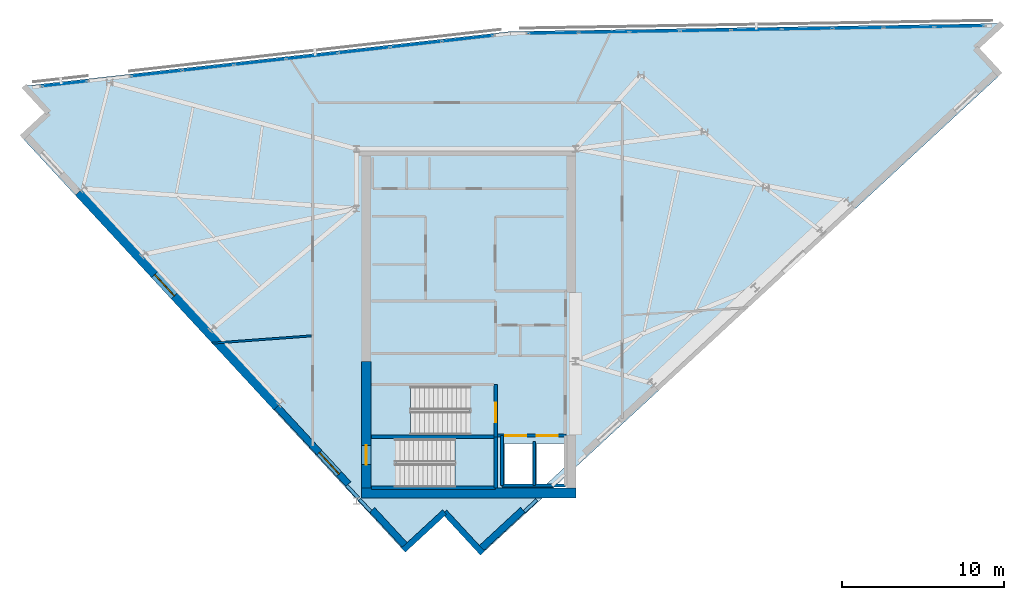
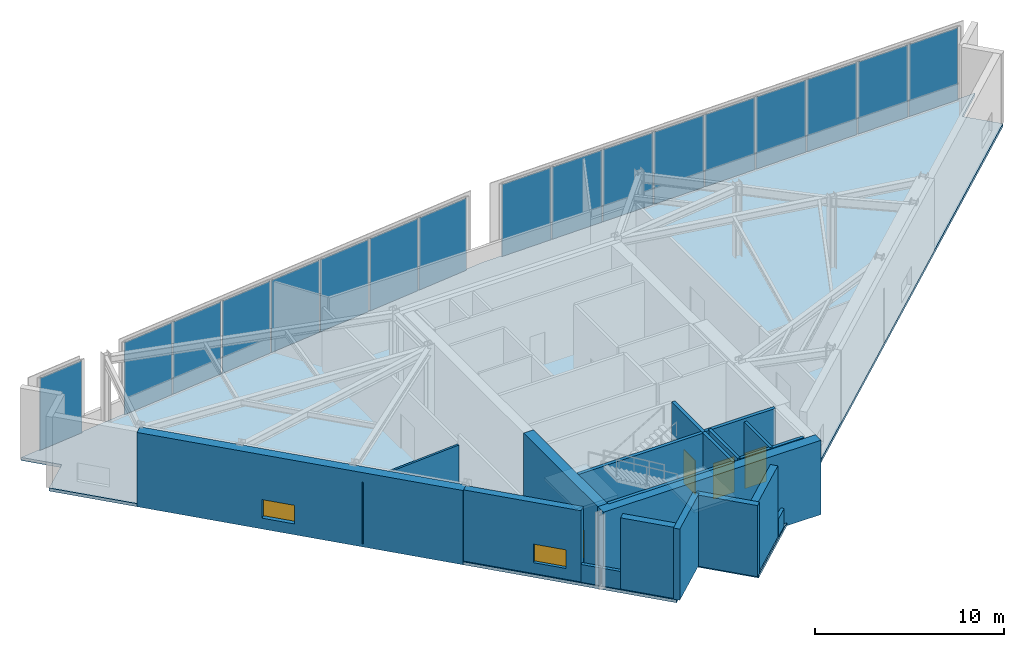
# One storey, part 8 of 12: 20 walls, 17 plates, 4 doors, 3 slabs, 2 windows, 6 openings, 5 elements without a shape of their own.
"""IFC4 building model written with IfcOpenShell, lengths in metres."""

from ifc_helpers import new_model, si_unit, direction, frame, frame_2d, origin, origin_2d, place, context, subcontext, project, spatial, polyline, rectangle, outline, extrude, material, layer, layer_set, type_object, element, fill, aggregate, save


model = new_model("IFC4")

# Units and contexts
model_context = context("Model", 3, precision=1e-05, world=origin(), true_north=direction((0.0, 1.0)))
body_context = subcontext(model_context, "Body", "Model", "MODEL_VIEW")
ifc_project = project(units=[si_unit("LENGTHUNIT", "METRE"), si_unit("AREAUNIT", "SQUARE_METRE"), si_unit("VOLUMEUNIT", "CUBIC_METRE"), si_unit("PLANEANGLEUNIT", "RADIAN"), si_unit("MASSUNIT", "GRAM", prefix="KILO")], contexts=[model_context])

# Site, building, storey
site_placement = place(None, origin())
site = spatial("IfcSite", under=ifc_project, at=site_placement, CompositionType="ELEMENT")
building_placement = place(site_placement, origin())
building = spatial("IfcBuilding", under=site, at=building_placement, Name="Narakoshi Arena Tower", CompositionType="ELEMENT")
storey_placement = place(building_placement, frame((0.0, 0.0, 302.97998046875)))
storey = spatial("IfcBuildingStorey", under=building, at=storey_placement, Name="L82", CompositionType="ELEMENT", Elevation=302.97998046875)

# Curtain wall, plate
ifc_material_1 = material(Name="Anodised bronze aluminium 6063-T6", Category="aluminium")
curtain_wall_type = type_object("IfcCurtainWallType", Name="CW-CRN-FACET", PredefinedType="NOTDEFINED", material=ifc_material_1)
curtain_wall_1_placement = place(storey_placement, origin())
curtain_wall_1 = element("IfcCurtainWall", 1, at=curtain_wall_1_placement, inside=storey, type_object=curtain_wall_type, Name="L82 Slanted-Cut Crown Curtain Wall 5-1", PredefinedType="NOTDEFINED")
ifc_material_2 = material(Name="Bronze-tinted low-E laminated glass", Category="glass")
ifc_layer_1 = layer(ifc_material_2, 0.0439453125)
ifc_layer_set_1 = layer_set([ifc_layer_1], Name="Bronze-tinted low-E laminated glass")
plate_type = type_object("IfcPlateType", Name="PLT-GLZ-44", PredefinedType="CURTAIN_PANEL", material=ifc_layer_set_1)
plate_1_placement = place(storey_placement, frame((53.931640625, 60.52734375, 0.06982421875), z_axis=(0.0, 0.0, 1.0), x_axis=(0.993776228952, 0.1113948238, 0.0)))
plate_1 = element("IfcPlate", 2, at=plate_1_placement, type_object=plate_type, Name="CW-06 panel 1.1", PredefinedType="CURTAIN_PANEL", context=body_context, shape_type="SweptSolid", body=[
    extrude(rectangle(XDim=2.756591796875, YDim=0.0439453125, at=origin_2d()), origin(), (0.0, 0.0, 1.0), 4.659912109375),
])
aggregate(curtain_wall_1, [plate_1])

# Curtain wall, plates
curtain_wall_2_placement = place(storey_placement, origin())
curtain_wall_2 = element("IfcCurtainWall", 3, at=curtain_wall_2_placement, inside=storey, type_object=curtain_wall_type, Name="L82 Slanted-Cut Crown Curtain Wall 5-2", PredefinedType="NOTDEFINED")
plate_2_placement = place(storey_placement, frame((59.628662109375, 61.166015625, 0.06982421875), z_axis=(0.0, 0.0, 1.0), x_axis=(0.993776180576, 0.11139525537, 0.0)))
plate_2 = element("IfcPlate", 4, at=plate_2_placement, type_object=plate_type, Name="CW-06 panel 1.1", PredefinedType="CURTAIN_PANEL", context=body_context, shape_type="SweptSolid", body=[
    extrude(rectangle(XDim=3.11572265625, YDim=0.0439453125, at=origin_2d()), origin(), (0.0, 0.0, 1.0), 4.659912109375),
])
plate_3_placement = place(storey_placement, frame((62.824462890625, 61.524169921875, 0.06982421875), z_axis=(0.0, 0.0, 1.0), x_axis=(0.993776180576, 0.11139525537, 0.0)))
plate_3 = element("IfcPlate", 5, at=plate_3_placement, type_object=plate_type, Name="CW-06 panel 2.1", PredefinedType="CURTAIN_PANEL", context=body_context, shape_type="SweptSolid", body=[
    extrude(rectangle(XDim=3.15576171875, YDim=0.0439453125, at=origin_2d()), origin(), (0.0, 0.0, 1.0), 4.659912109375),
])
plate_4_placement = place(storey_placement, frame((66.040283203125, 61.884521484375, 0.06982421875), z_axis=(0.0, 0.0, 1.0), x_axis=(0.993776180576, 0.11139525537, 0.0)))
plate_4 = element("IfcPlate", 6, at=plate_4_placement, type_object=plate_type, Name="CW-06 panel 3.1", PredefinedType="CURTAIN_PANEL", context=body_context, shape_type="SweptSolid", body=[
    extrude(rectangle(XDim=3.15576171875, YDim=0.0439453125, at=origin_2d()), origin(), (0.0, 0.0, 1.0), 4.659912109375),
])
plate_5_placement = place(storey_placement, frame((69.255859375, 62.2451171875, 0.06982421875), z_axis=(0.0, 0.0, 1.0), x_axis=(0.993776180576, 0.11139525537, 0.0)))
plate_5 = element("IfcPlate", 7, at=plate_5_placement, type_object=plate_type, Name="CW-06 panel 4.1", PredefinedType="CURTAIN_PANEL", context=body_context, shape_type="SweptSolid", body=[
    extrude(rectangle(XDim=3.15576171875, YDim=0.0439453125, at=origin_2d()), origin(), (0.0, 0.0, 1.0), 4.659912109375),
])
plate_6_placement = place(storey_placement, frame((72.4716796875, 62.60546875, 0.06982421875), z_axis=(0.0, 0.0, 1.0), x_axis=(0.993776180576, 0.11139525537, 0.0)))
plate_6 = element("IfcPlate", 8, at=plate_6_placement, type_object=plate_type, Name="CW-06 panel 5.1", PredefinedType="CURTAIN_PANEL", context=body_context, shape_type="SweptSolid", body=[
    extrude(rectangle(XDim=3.15576171875, YDim=0.0439453125, at=origin_2d()), origin(), (0.0, 0.0, 1.0), 4.659912109375),
])
plate_7_placement = place(storey_placement, frame((75.687255859375, 62.966064453125, 0.06982421875), z_axis=(0.0, 0.0, 1.0), x_axis=(0.993776180576, 0.11139525537, 0.0)))
plate_7 = element("IfcPlate", 9, at=plate_7_placement, type_object=plate_type, Name="CW-06 panel 6.1", PredefinedType="CURTAIN_PANEL", context=body_context, shape_type="SweptSolid", body=[
    extrude(rectangle(XDim=3.15576171875, YDim=0.0439453125, at=origin_2d()), origin(), (0.0, 0.0, 1.0), 4.659912109375),
])
plate_8_placement = place(storey_placement, frame((78.883056640625, 63.32421875, 0.06982421875), z_axis=(0.0, 0.0, 1.0), x_axis=(0.993776180576, 0.11139525537, 0.0)))
plate_8 = element("IfcPlate", 10, at=plate_8_placement, type_object=plate_type, Name="CW-06 panel 7.1", PredefinedType="CURTAIN_PANEL", context=body_context, shape_type="SweptSolid", body=[
    extrude(rectangle(XDim=3.11572265625, YDim=0.0439453125, at=origin_2d()), origin(), (0.0, 0.0, 1.0), 4.659912109375),
])
aggregate(curtain_wall_2, [plate_2, plate_3, plate_4, plate_5, plate_6, plate_7, plate_8])

curtain_wall_3_placement = place(storey_placement, origin())
curtain_wall_3 = element("IfcCurtainWall", 11, at=curtain_wall_3_placement, inside=storey, type_object=curtain_wall_type, Name="L82 Slanted-Cut Crown Curtain Wall 6-1", PredefinedType="NOTDEFINED")
plate_9_placement = place(storey_placement, frame((84.184326171875, 63.666259765625, 0.06982421875), z_axis=(0.0, 0.0, 1.0), x_axis=(0.999864745217, 0.016446618882, 0.0)))
plate_9 = element("IfcPlate", 12, at=plate_9_placement, type_object=plate_type, Name="CW-06 panel 1.1", PredefinedType="CURTAIN_PANEL", context=body_context, shape_type="SweptSolid", body=[
    extrude(rectangle(XDim=3.02685546875, YDim=0.0439453125, at=origin_2d()), origin(), (0.0, 0.0, 1.0), 4.659912109375),
])
plate_10_placement = place(storey_placement, frame((87.310791015625, 63.7177734375, 0.06982421875), z_axis=(0.0, 0.0, 1.0), x_axis=(0.999864745217, 0.016446618882, 0.0)))
plate_10 = element("IfcPlate", 13, at=plate_10_placement, type_object=plate_type, Name="CW-06 panel 2.1", PredefinedType="CURTAIN_PANEL", context=body_context, shape_type="SweptSolid", body=[
    extrude(rectangle(XDim=3.06689453125, YDim=0.0439453125, at=origin_2d()), origin(), (0.0, 0.0, 1.0), 4.659912109375),
])
plate_11_placement = place(storey_placement, frame((90.45703125, 63.76953125, 0.06982421875), z_axis=(0.0, 0.0, 1.0), x_axis=(0.999864745217, 0.016446618882, 0.0)))
plate_11 = element("IfcPlate", 14, at=plate_11_placement, type_object=plate_type, Name="CW-06 panel 3.1", PredefinedType="CURTAIN_PANEL", context=body_context, shape_type="SweptSolid", body=[
    extrude(rectangle(XDim=3.06689453125, YDim=0.0439453125, at=origin_2d()), origin(), (0.0, 0.0, 1.0), 4.659912109375),
])
plate_12_placement = place(storey_placement, frame((93.603515625, 63.8212890625, 0.06982421875), z_axis=(0.0, 0.0, 1.0), x_axis=(0.999864745217, 0.016446618882, 0.0)))
plate_12 = element("IfcPlate", 15, at=plate_12_placement, type_object=plate_type, Name="CW-06 panel 4.1", PredefinedType="CURTAIN_PANEL", context=body_context, shape_type="SweptSolid", body=[
    extrude(rectangle(XDim=3.06689453125, YDim=0.0439453125, at=origin_2d()), origin(), (0.0, 0.0, 1.0), 4.659912109375),
])
plate_13_placement = place(storey_placement, frame((96.75, 63.873046875, 0.06982421875), z_axis=(0.0, 0.0, 1.0), x_axis=(0.999864745217, 0.016446618882, 0.0)))
plate_13 = element("IfcPlate", 16, at=plate_13_placement, type_object=plate_type, Name="CW-06 panel 5.1", PredefinedType="CURTAIN_PANEL", context=body_context, shape_type="SweptSolid", body=[
    extrude(rectangle(XDim=3.06689453125, YDim=0.0439453125, at=origin_2d()), origin(), (0.0, 0.0, 1.0), 4.659912109375),
])
plate_14_placement = place(storey_placement, frame((99.896484375, 63.9248046875, 0.06982421875), z_axis=(0.0, 0.0, 1.0), x_axis=(0.999864745217, 0.016446618882, 0.0)))
plate_14 = element("IfcPlate", 17, at=plate_14_placement, type_object=plate_type, Name="CW-06 panel 6.1", PredefinedType="CURTAIN_PANEL", context=body_context, shape_type="SweptSolid", body=[
    extrude(rectangle(XDim=3.06689453125, YDim=0.0439453125, at=origin_2d()), origin(), (0.0, 0.0, 1.0), 4.659912109375),
])
plate_15_placement = place(storey_placement, frame((103.04296875, 63.9765625, 0.06982421875), z_axis=(0.0, 0.0, 1.0), x_axis=(0.999864745217, 0.016446618882, 0.0)))
plate_15 = element("IfcPlate", 18, at=plate_15_placement, type_object=plate_type, Name="CW-06 panel 7.1", PredefinedType="CURTAIN_PANEL", context=body_context, shape_type="SweptSolid", body=[
    extrude(rectangle(XDim=3.06689453125, YDim=0.0439453125, at=origin_2d()), origin(), (0.0, 0.0, 1.0), 4.659912109375),
])
plate_16_placement = place(storey_placement, frame((106.189453125, 64.0283203125, 0.06982421875), z_axis=(0.0, 0.0, 1.0), x_axis=(0.999864745217, 0.016446618882, 0.0)))
plate_16 = element("IfcPlate", 19, at=plate_16_placement, type_object=plate_type, Name="CW-06 panel 8.1", PredefinedType="CURTAIN_PANEL", context=body_context, shape_type="SweptSolid", body=[
    extrude(rectangle(XDim=3.06689453125, YDim=0.0439453125, at=origin_2d()), origin(), (0.0, 0.0, 1.0), 4.659912109375),
])
plate_17_placement = place(storey_placement, frame((109.31591796875, 64.07958984375, 0.06982421875), z_axis=(0.0, 0.0, 1.0), x_axis=(0.999864745217, 0.016446618882, 0.0)))
plate_17 = element("IfcPlate", 20, at=plate_17_placement, type_object=plate_type, Name="CW-06 panel 9.1", PredefinedType="CURTAIN_PANEL", context=body_context, shape_type="SweptSolid", body=[
    extrude(rectangle(XDim=3.02685546875, YDim=0.0439453125, at=origin_2d()), origin(), (0.0, 0.0, 1.0), 4.659912109375),
])
aggregate(curtain_wall_3, [plate_9, plate_10, plate_11, plate_12, plate_13, plate_14, plate_15, plate_16, plate_17])

# Stair, slab
ifc_material_3 = material(Name="Concrete C45/55", Category="concrete")
stair_type = type_object("IfcStairType", Name="STR-CRN-480", PredefinedType="TWO_STRAIGHT_RUN_STAIR", material=ifc_material_3)
stair_1_placement = place(storey_placement, origin())
stair_1 = element("IfcStair", 21, at=stair_1_placement, inside=storey, type_object=stair_type, Name="L82 Core Escape Stair ST1", PredefinedType="TWO_STRAIGHT_RUN_STAIR")
ifc_layer_2 = layer(ifc_material_3, 0.18994140625)
ifc_layer_set_2 = layer_set([ifc_layer_2], Name="Concrete C45/55")
slab_type_1 = type_object("IfcSlabType", Name="SLB-LND-190", PredefinedType="LANDING", material=ifc_layer_set_2)
slab_1_placement = place(storey_placement, frame((0.0, 0.0, 2.2099609375)))
slab_1 = element("IfcSlab", 22, at=slab_1_placement, type_object=slab_type_1, Name="ST1 landing 1", PredefinedType="LANDING", context=body_context, shape_type="SweptSolid", body=[
    extrude(outline(polyline([(78.10498046875, 35.3701171875), (80.679931640625, 35.3701171875), (80.679931640625, 38.72998046875), (78.10498046875, 38.72998046875), (78.10498046875, 35.3701171875)])), origin(), (0.0, 0.0, 1.0), 0.18994140625),
])
aggregate(stair_1, [slab_1])

stair_2_placement = place(storey_placement, origin())
stair_2 = element("IfcStair", 23, at=stair_2_placement, inside=storey, type_object=stair_type, Name="L82 Core Escape Stair ST2", PredefinedType="TWO_STRAIGHT_RUN_STAIR")
slab_2_placement = place(storey_placement, frame((0.0, 0.0, 2.2099609375)))
slab_2 = element("IfcSlab", 24, at=slab_2_placement, type_object=slab_type_1, Name="ST2 landing 1", PredefinedType="LANDING", context=body_context, shape_type="SweptSolid", body=[
    extrude(outline(polyline([(72.77001953125, 38.6201171875), (75.344970703125, 38.6201171875), (75.344970703125, 41.97998046875), (72.77001953125, 41.97998046875), (72.77001953125, 38.6201171875)])), origin(), (0.0, 0.0, 1.0), 0.18994140625),
])
aggregate(stair_2, [slab_2])

# Slab
ifc_layer_3 = layer(ifc_material_3, 0.199951171875)
ifc_layer_set_3 = layer_set([ifc_layer_3], Name="Concrete C45/55")
slab_type_2 = type_object("IfcSlabType", Name="SLB-TWR-200", PredefinedType="FLOOR", material=ifc_layer_set_3)
slab_3_placement = place(storey_placement, frame((0.0, 0.0, -0.199951171875)))
element("IfcSlab", 25, at=slab_3_placement, inside=storey, type_object=slab_type_2, Name="L82 Structural Floor Slab", PredefinedType="FLOOR", context=body_context, shape_type="SweptSolid", body=[
    extrude(outline(polyline([(77.45068359375, 34.01953125), (74.9033203125, 31.664794921875), (51.298095703125, 57.200439453125), (52.9541015625, 58.731201171875), (51.42333984375, 60.38720703125), (81.538818359375, 63.7626953125), (111.956787109375, 64.26318359375), (110.30078125, 62.732421875), (111.83154296875, 61.076416015625), (79.8056640625, 31.47216796875), (77.45068359375, 34.01953125)]), holes=[polyline([(80.5, 38.550048828125), (80.5, 35.550048828125), (74.47998046875, 35.550048828125), (74.47998046875, 38.550048828125), (80.5, 38.550048828125)]), polyline([(82.89990234375, 38.25), (82.89990234375, 35.75), (81.14990234375, 35.75), (81.14990234375, 38.25), (82.89990234375, 38.25)]), polyline([(84.89990234375, 38.25), (84.89990234375, 36.794189453125), (83.7705078125, 35.75), (83.14990234375, 35.75), (83.14990234375, 38.25), (84.89990234375, 38.25)]), polyline([(78.969970703125, 41.800048828125), (78.969970703125, 38.800048828125), (72.949951171875, 38.800048828125), (72.949951171875, 41.800048828125), (78.969970703125, 41.800048828125)])]), origin(), (0.0, 0.0, 1.0), 0.199951171875),
])

# Wall, opening, door
ifc_material_4 = material(Name="Concrete C50/60", Category="concrete")
ifc_layer_4 = layer(ifc_material_4, 0.60009765625)
ifc_layer_set_4 = layer_set([ifc_layer_4], Name="Concrete C50/60")
wall_type_1 = type_object("IfcWallType", Name="WL-CORE-600", PredefinedType="SHEAR", material=ifc_layer_set_4)
wall_1_placement = place(storey_placement, frame((72.60009765625, 35.5, -0.199951171875), z_axis=(0.0, 0.0, 1.0), x_axis=(0.0, 1.0, 0.0)))
wall_1 = element("IfcWall", 26, at=wall_1_placement, inside=storey, type_object=wall_type_1, Name="L82 Central Core Shear Wall CW-APX-W", PredefinedType="SHEAR", context=body_context, shape_type="SweptSolid", body=[
    extrude(rectangle(XDim=7.85009765625, YDim=0.60009765625, at=frame_2d((3.925048828125, 0.0))), origin(), (0.0, 0.0, 1.0), 4.800048828125),
])
opening_1_placement = place(wall_1_placement, frame((1.449951171875, 0.0, 0.199951171875)))
opening_1 = element("IfcOpeningElement", 27, at=opening_1_placement, cuts=wall_1, Name="Opening D-03", PredefinedType="OPENING", context=body_context, shape_type="SweptSolid", body=[
    extrude(rectangle(XDim=1.199951171875, YDim=2.199951171875, at=frame_2d((0.60009765625, 1.10009765625))), frame((0.0, 0.31005859375, 0.0), z_axis=(0.0, -1.0, 0.0), x_axis=(1.0, 0.0, 0.0)), (0.0, 0.0, 1.0), 0.6201171875),
])
ifc_material_5 = material(Name="Painted galvanized steel", Category="steel")
door_type_1 = type_object("IfcDoorType", Name="DR-STR-1200", OperationType="NOTDEFINED", PredefinedType="USERDEFINED", material=ifc_material_5)
door_1_placement = place(opening_1_placement, frame((1.199951171875, 0.0, 0.0), z_axis=(0.0, 0.0, 1.0), x_axis=(-1.0, 0.0, 0.0)))
door_1 = element("IfcDoor", 28, at=door_1_placement, inside=storey, type_object=door_type_1, Name="DR-L82-001", ObjectType="EXITDOOR", OperationType="SINGLE_SWING_LEFT", OverallHeight=2.199951171875, OverallWidth=1.199951171875, PredefinedType="USERDEFINED", context=body_context, shape_type="SweptSolid", body=[
    extrude(rectangle(XDim=1.199951171875, YDim=2.199951171875, at=frame_2d((0.60009765625, 1.10009765625))), frame((0.0, 0.02490234375, 0.0), z_axis=(0.0, -1.0, 0.0), x_axis=(1.0, 0.0, 0.0)), (0.0, 0.0, 1.0), 0.050048828125),
])
fill(opening_1, door_1)

# Wall
wall_2_placement = place(storey_placement, frame((72.300048828125, 35.199951171875, -0.199951171875), z_axis=(0.0, 0.0, 1.0), x_axis=(1.0, 0.0, 0.0)))
element("IfcWall", 29, at=wall_2_placement, inside=storey, type_object=wall_type_1, Name="L82 Central Core Shear Wall CW-APX-S", PredefinedType="SHEAR", context=body_context, shape_type="SweptSolid", body=[
    extrude(rectangle(XDim=13.300048828125, YDim=0.60009765625, at=frame_2d((6.64990234375, 0.0))), origin(), (0.0, 0.0, 1.0), 4.800048828125),
])

# Wall, opening, window
ifc_layer_5 = layer(ifc_material_4, 0.550048828125)
ifc_layer_set_5 = layer_set([ifc_layer_5], Name="Concrete C50/60")
wall_type_2 = type_object("IfcWallType", Name="WL-LEG-550", PredefinedType="SHEAR", material=ifc_layer_set_5)
wall_3_placement = place(storey_placement, frame((54.804931640625, 53.81201171875, -0.199951171875), z_axis=(0.0, 0.0, 1.0), x_axis=(0.678803115619, -0.734320318543, 0.0)))
wall_3 = element("IfcWall", 30, at=wall_3_placement, inside=storey, type_object=wall_type_2, Name="L82 Architectural Concrete Structural Wall LEGB-2", PredefinedType="SHEAR", context=body_context, shape_type="SweptSolid", body=[
    extrude(outline(polyline([(0.0, 0.0), (18.082763671875, 0.0), (18.082763671875, 4.800048828125), (0.0, 4.800048828125), (0.0, 0.0)])), frame((0.0, 0.27490234375, 0.0), z_axis=(0.0, -1.0, 0.0), x_axis=(1.0, 0.0, 0.0)), (0.0, 0.0, 1.0), 0.550048828125),
])
opening_2_placement = place(wall_3_placement, frame((6.934326171875, 0.0, 0.699951171875)))
opening_2 = element("IfcOpeningElement", 31, at=opening_2_placement, cuts=wall_3, Name="Opening WN-05", PredefinedType="OPENING", context=body_context, shape_type="SweptSolid", body=[
    extrude(rectangle(XDim=1.800048828125, YDim=1.199951171875, at=frame_2d((0.89990234375, 0.60009765625))), frame((0.0, 0.284912109375, 0.0), z_axis=(0.0, -1.0, 0.0), x_axis=(1.0, 0.0, 0.0)), (0.0, 0.0, 1.0), 0.570068359375),
])
window_type = type_object("IfcWindowType", Name="WIN-SLT-18x12", PartitioningType="SINGLE_PANEL", PredefinedType="WINDOW", material=ifc_material_2)
window_1_placement = place(opening_2_placement, origin())
window_1 = element("IfcWindow", 32, at=window_1_placement, inside=storey, type_object=window_type, Name="L82 LEGB2 Horizontal Slot Window 1", OverallHeight=1.199951171875, OverallWidth=1.800048828125, PartitioningType="SINGLE_PANEL", PredefinedType="WINDOW", context=body_context, shape_type="SweptSolid", body=[
    extrude(rectangle(XDim=1.800048828125, YDim=1.199951171875, at=frame_2d((0.89990234375, 0.60009765625))), frame((0.0, 0.030029296875, 0.0), z_axis=(0.0, -1.0, 0.0), x_axis=(1.0, 0.0, 0.0)), (0.0, 0.0, 1.0), 0.06005859375),
])
fill(opening_2, window_1)

# Walls
ifc_material_6 = material(Name="Precast concrete C45/55", Category="concrete")
ifc_layer_6 = layer(ifc_material_6, 0.25)
ifc_layer_set_6 = layer_set([ifc_layer_6], Name="Precast concrete C45/55")
wall_type_3 = type_object("IfcWallType", Name="WL-PARA-250", PredefinedType="PARAPET", material=ifc_layer_set_6)
wall_4_placement = place(storey_placement, frame((72.881103515625, 34.058349609375, 0.0), z_axis=(0.0, 0.0, 1.0), x_axis=(-0.678872530156, 0.734256145905, 0.0)))
element("IfcWall", 33, at=wall_4_placement, inside=storey, type_object=wall_type_3, Name="L82 Crown Sill Upstand Parapet 01", PredefinedType="PARAPET", context=body_context, shape_type="SweptSolid", body=[
    extrude(rectangle(XDim=1.009521484375, YDim=0.199951171875, at=frame_2d((0.5048828125, 0.0))), origin(), (0.0, 0.0, 1.0), 1.14990234375),
])
wall_5_placement = place(storey_placement, frame((72.114990234375, 34.88720703125, 0.0), z_axis=(0.0, 0.0, 1.0), x_axis=(-0.678713667452, 0.734402994012, 0.0)))
element("IfcWall", 34, at=wall_5_placement, inside=storey, type_object=wall_type_3, Name="L82 Crown Sill Upstand Parapet 02", PredefinedType="PARAPET", context=body_context, shape_type="SweptSolid", body=[
    extrude(rectangle(XDim=1.05224609375, YDim=0.199951171875, at=frame_2d((0.526123046875, 0.0))), origin(), (0.0, 0.0, 1.0), 1.14990234375),
])
wall_6_placement = place(storey_placement, frame((83.15625, 34.760009765625, 0.0), z_axis=(0.0, 0.0, 1.0), x_axis=(-0.734364355784, -0.678755473609, 0.0)))
element("IfcWall", 35, at=wall_6_placement, inside=storey, type_object=wall_type_3, Name="L82 Crown Sill Upstand Parapet 07", PredefinedType="PARAPET", context=body_context, shape_type="SweptSolid", body=[
    extrude(rectangle(XDim=1.044921875, YDim=0.199951171875, at=frame_2d((0.5224609375, 0.0))), origin(), (0.0, 0.0, 1.0), 1.14990234375),
])
ifc_material_7 = material(Name="Gypsum plasterboard fire-rated partition")
ifc_layer_7 = layer(ifc_material_7, 0.125)
ifc_layer_set_7 = layer_set([ifc_layer_7], Name="Gypsum plasterboard fire-rated partition")
wall_type_4 = type_object("IfcWallType", Name="WL-PART-125", PredefinedType="PARTITIONING", material=ifc_layer_set_7)
wall_7_placement = place(storey_placement, frame((63.06591796875, 44.47021484375, 0.0), z_axis=(0.0, 0.0, 1.0), x_axis=(0.997302163141, 0.073405690471, 0.0)))
element("IfcWall", 36, at=wall_7_placement, inside=storey, type_object=wall_type_4, Name="L82 Inter-Room Partition 01-05", PredefinedType="PARTITIONING", context=body_context, shape_type="SweptSolid", body=[
    extrude(rectangle(XDim=6.15625, YDim=0.125, at=frame_2d((3.078125, 0.0))), origin(), (0.0, 0.0, 1.0), 3.985107421875),
])
ifc_layer_8 = layer(ifc_material_6, 0.419921875)
ifc_layer_set_8 = layer_set([ifc_layer_8], Name="Precast concrete C45/55")
wall_type_5 = type_object("IfcWallType", Name="WL-POD-420", PredefinedType="SOLIDWALL", material=ifc_layer_set_8)
wall_8_placement = place(storey_placement, frame((79.618896484375, 31.674072265625, 0.0), z_axis=(0.0, 0.0, 1.0), x_axis=(0.734338793707, 0.678783128884, 0.0)))
element("IfcWall", 37, at=wall_8_placement, inside=storey, type_object=wall_type_5, Name="L82 Architectural Concrete Facade Wall LEGA-1", PredefinedType="SOLIDWALL", context=body_context, shape_type="SweptSolid", body=[
    extrude(outline(polyline([(0.0, 0.0), (3.6474609375, 0.0), (3.647705078125, 4.60009765625), (0.0, 4.60009765625), (0.0, 0.0)])), frame((0.0, 0.2099609375, 0.0), z_axis=(0.0, -1.0, 0.0), x_axis=(1.0, 0.0, 0.0)), (0.0, 0.0, 1.0), 0.419921875),
])

# Wall, opening, window
wall_9_placement = place(storey_placement, frame((67.07958984375, 40.533447265625, 0.0), z_axis=(0.0, 0.0, 1.0), x_axis=(0.678800006437, -0.734323192648, 0.0)))
wall_9 = element("IfcWall", 38, at=wall_9_placement, inside=storey, type_object=wall_type_5, Name="L82 Architectural Concrete Facade Wall LEGB-3", PredefinedType="SOLIDWALL", context=body_context, shape_type="SweptSolid", body=[
    extrude(outline(polyline([(0.0, 0.0), (6.51220703125, 0.0), (6.51220703125, 4.60009765625), (0.0, 4.60009765625), (0.0, 0.0)])), frame((0.0, 0.2099609375, 0.0), z_axis=(0.0, -1.0, 0.0), x_axis=(1.0, 0.0, 0.0)), (0.0, 0.0, 1.0), 0.419921875),
])
opening_3_placement = place(wall_9_placement, frame((3.865234375, 0.0, 0.699951171875)))
opening_3 = element("IfcOpeningElement", 39, at=opening_3_placement, cuts=wall_9, Name="Opening WN-05", PredefinedType="OPENING", context=body_context, shape_type="SweptSolid", body=[
    extrude(rectangle(XDim=1.800048828125, YDim=1.199951171875, at=frame_2d((0.89990234375, 0.60009765625))), frame((0.0, 0.219970703125, 0.0), z_axis=(0.0, -1.0, 0.0), x_axis=(1.0, 0.0, 0.0)), (0.0, 0.0, 1.0), 0.43994140625),
])
window_2_placement = place(opening_3_placement, origin())
window_2 = element("IfcWindow", 40, at=window_2_placement, inside=storey, type_object=window_type, Name="L82 LEGB3 Horizontal Slot Window 1", OverallHeight=1.199951171875, OverallWidth=1.800048828125, PartitioningType="SINGLE_PANEL", PredefinedType="WINDOW", context=body_context, shape_type="SweptSolid", body=[
    extrude(rectangle(XDim=1.800048828125, YDim=1.199951171875, at=frame_2d((0.89990234375, 0.60009765625))), frame((0.0, 0.030029296875, 0.0), z_axis=(0.0, -1.0, 0.0), x_axis=(1.0, 0.0, 0.0)), (0.0, 0.0, 1.0), 0.06005859375),
])
fill(opening_3, window_2)

# Walls
wall_10_placement = place(storey_placement, frame((72.980224609375, 34.14990234375, 0.0), z_axis=(0.0, 0.0, 1.0), x_axis=(0.67879500555, -0.73432781538, 0.0)))
element("IfcWall", 41, at=wall_10_placement, inside=storey, type_object=wall_type_5, Name="L82 Architectural Concrete Facade Wall LEGB-4", PredefinedType="SOLIDWALL", context=body_context, shape_type="SweptSolid", body=[
    extrude(outline(polyline([(0.0, 0.0), (3.130126953125, 0.0), (3.13037109375, 4.60009765625), (0.0, 4.60009765625), (0.0, 0.0)])), frame((0.0, 0.2099609375, 0.0), z_axis=(0.0, -1.0, 0.0), x_axis=(1.0, 0.0, 0.0)), (0.0, 0.0, 1.0), 0.419921875),
])
wall_11_placement = place(storey_placement, frame((74.9033203125, 31.664794921875, 0.0), z_axis=(0.0, 0.0, 1.0), x_axis=(0.734325680362, 0.678797315228, 0.0)))
element("IfcWall", 42, at=wall_11_placement, inside=storey, type_object=wall_type_5, Name="L82 Re-Entrant Corner Notch Wall NTA-1", PredefinedType="SOLIDWALL", context=body_context, shape_type="SweptSolid", body=[
    extrude(rectangle(XDim=3.468994140625, YDim=0.360107421875, at=frame_2d((1.734375, 0.0))), origin(), (0.0, 0.0, 1.0), 4.60009765625),
])
wall_12_placement = place(storey_placement, frame((77.45068359375, 34.01953125, 0.0), z_axis=(0.0, 0.0, 1.0), x_axis=(0.678835262818, -0.734290600481, 0.0)))
element("IfcWall", 43, at=wall_12_placement, inside=storey, type_object=wall_type_5, Name="L82 Re-Entrant Corner Notch Wall NTA-2", PredefinedType="SOLIDWALL", context=body_context, shape_type="SweptSolid", body=[
    extrude(rectangle(XDim=3.46923828125, YDim=0.360107421875, at=frame_2d((1.734619140625, 0.0))), origin(), (0.0, 0.0, 1.0), 4.60009765625),
])
ifc_material_8 = material(Name="Concrete C40/50", Category="concrete")
ifc_layer_9 = layer(ifc_material_8, 0.280029296875)
ifc_layer_set_9 = layer_set([ifc_layer_9], Name="Concrete C40/50")
wall_type_6 = type_object("IfcWallType", Name="WL-RISER-280", PredefinedType="PLUMBINGWALL", material=ifc_layer_set_9)
wall_13_placement = place(storey_placement, frame((83.0, 35.64990234375, 0.0), z_axis=(0.0, 0.0, 1.0), x_axis=(0.0, 1.0, 0.0)))
element("IfcWall", 44, at=wall_13_placement, inside=storey, type_object=wall_type_6, Name="L82 Core Wall FF-DIV", PredefinedType="PLUMBINGWALL", context=body_context, shape_type="SweptSolid", body=[
    extrude(rectangle(XDim=2.75, YDim=0.159912109375, at=frame_2d((1.375, 0.0))), origin(), (0.0, 0.0, 1.0), 4.60009765625),
])
ifc_layer_10 = layer(ifc_material_4, 0.35009765625)
ifc_layer_set_10 = layer_set([ifc_layer_10], Name="Concrete C50/60")
wall_type_7 = type_object("IfcWallType", Name="WL-SHAFT-350", PredefinedType="SOLIDWALL", material=ifc_layer_set_10)
for number, where, z_axis, x_axis, name in (
    (45, (72.919921875, 35.52001953125, -0.199951171875), (0.0, 0.0, 1.0), (1.0, 0.0, 0.0), "L82 Core Wall ST1-S"),
    (46, (72.919921875, 38.675048828125, -0.199951171875), (0.0, 0.0, 1.0), (1.0, 0.0, 0.0), "L82 Core Wall ST12-DIV"),
):
    element("IfcWall", number, at=place(storey_placement, frame(where, z_axis=z_axis, x_axis=x_axis)), inside=storey, type_object=wall_type_7, Name=name, PredefinedType="SOLIDWALL", context=body_context, shape_type="SweptSolid", body=[
        extrude(rectangle(XDim=7.7001953125, YDim=0.199951171875, at=frame_2d((3.85009765625, 0.0))), origin(), (0.0, 0.0, 1.0), 4.800048828125),
    ])
wall_14_placement = place(storey_placement, frame((80.6201171875, 35.52001953125, -0.199951171875), z_axis=(0.0, 0.0, 1.0), x_axis=(0.0, 1.0, 0.0)))
element("IfcWall", 47, at=wall_14_placement, inside=storey, type_object=wall_type_7, Name="L82 Core Wall ST1-E", PredefinedType="SOLIDWALL", context=body_context, shape_type="SweptSolid", body=[
    extrude(rectangle(XDim=3.155029296875, YDim=0.199951171875, at=frame_2d((1.57763671875, 0.0))), origin(), (0.0, 0.0, 1.0), 4.800048828125),
])

# Wall, opening, door
wall_15_placement = place(storey_placement, frame((80.6201171875, 38.675048828125, -0.199951171875), z_axis=(0.0, 0.0, 1.0), x_axis=(0.0, 1.0, 0.0)))
wall_15 = element("IfcWall", 48, at=wall_15_placement, inside=storey, type_object=wall_type_7, Name="L82 Core Wall ST2-E", PredefinedType="SOLIDWALL", context=body_context, shape_type="SweptSolid", body=[
    extrude(rectangle(XDim=3.244873046875, YDim=0.199951171875, at=frame_2d((1.62255859375, 0.0))), origin(), (0.0, 0.0, 1.0), 4.800048828125),
])
opening_4_placement = place(wall_15_placement, frame((0.89990234375, 0.0, 0.199951171875)))
opening_4 = element("IfcOpeningElement", 49, at=opening_4_placement, cuts=wall_15, Name="Opening D-03", PredefinedType="OPENING", context=body_context, shape_type="SweptSolid", body=[
    extrude(rectangle(XDim=1.199951171875, YDim=2.199951171875, at=frame_2d((0.60009765625, 1.10009765625))), frame((0.0, 0.10986328125, 0.0), z_axis=(0.0, -1.0, 0.0), x_axis=(1.0, 0.0, 0.0)), (0.0, 0.0, 1.0), 0.219970703125),
])
door_2_placement = place(opening_4_placement, origin())
door_2 = element("IfcDoor", 50, at=door_2_placement, inside=storey, type_object=door_type_1, Name="DR-L82-002", ObjectType="EXITDOOR", OperationType="SINGLE_SWING_RIGHT", OverallHeight=2.199951171875, OverallWidth=1.199951171875, PredefinedType="USERDEFINED", context=body_context, shape_type="SweptSolid", body=[
    extrude(rectangle(XDim=1.199951171875, YDim=2.199951171875, at=frame_2d((0.60009765625, 1.10009765625))), frame((0.0, 0.02490234375, 0.0), z_axis=(0.0, -1.0, 0.0), x_axis=(1.0, 0.0, 0.0)), (0.0, 0.0, 1.0), 0.050048828125),
])
fill(opening_4, door_2)

# Wall, openings, doors
wall_16_placement = place(storey_placement, frame((80.719970703125, 38.75, 0.0), z_axis=(0.0, 0.0, 1.0), x_axis=(1.0, 0.0, 0.0)))
wall_16 = element("IfcWall", 51, at=wall_16_placement, inside=storey, type_object=wall_type_7, Name="L82 Core Wall FF-N", PredefinedType="SOLIDWALL", context=body_context, shape_type="SweptSolid", body=[
    extrude(rectangle(XDim=4.260009765625, YDim=0.199951171875, at=frame_2d((2.1298828125, 0.0))), origin(), (0.0, 0.0, 1.0), 4.60009765625),
])
opening_5_placement = place(wall_16_placement, frame((0.5, 0.0, 0.0)))
opening_5 = element("IfcOpeningElement", 52, at=opening_5_placement, cuts=wall_16, Name="Opening LD-02", PredefinedType="OPENING", context=body_context, shape_type="SweptSolid", body=[
    extrude(rectangle(XDim=1.300048828125, YDim=2.300048828125, at=frame_2d((0.64990234375, 1.14990234375))), frame((0.0, 0.10986328125, 0.0), z_axis=(0.0, -1.0, 0.0), x_axis=(1.0, 0.0, 0.0)), (0.0, 0.0, 1.0), 0.219970703125),
])
opening_6_placement = place(wall_16_placement, frame((2.449951171875, 0.0, 0.0)))
opening_6 = element("IfcOpeningElement", 53, at=opening_6_placement, cuts=wall_16, Name="Opening LD-02", PredefinedType="OPENING", context=body_context, shape_type="SweptSolid", body=[
    extrude(rectangle(XDim=1.300048828125, YDim=2.300048828125, at=frame_2d((0.64990234375, 1.14990234375))), frame((0.0, 0.10986328125, 0.0), z_axis=(0.0, -1.0, 0.0), x_axis=(1.0, 0.0, 0.0)), (0.0, 0.0, 1.0), 0.219970703125),
])
ifc_material_9 = material(Name="Brushed bronze stainless steel", Category="steel")
door_type_2 = type_object("IfcDoorType", Name="DR-LFT-1300", OperationType="DOUBLE_DOOR_SLIDING", PredefinedType="DOOR", material=ifc_material_9)
door_3_placement = place(opening_5_placement, origin())
door_3 = element("IfcDoor", 54, at=door_3_placement, inside=storey, type_object=door_type_2, Name="DR-L82-003", OperationType="DOUBLE_DOOR_SLIDING", OverallHeight=2.300048828125, OverallWidth=1.300048828125, PredefinedType="DOOR", context=body_context, shape_type="SweptSolid", body=[
    extrude(rectangle(XDim=1.300048828125, YDim=2.300048828125, at=frame_2d((0.64990234375, 1.14990234375))), frame((0.0, 0.02490234375, 0.0), z_axis=(0.0, -1.0, 0.0), x_axis=(1.0, 0.0, 0.0)), (0.0, 0.0, 1.0), 0.050048828125),
])
fill(opening_5, door_3)
door_4_placement = place(opening_6_placement, origin())
door_4 = element("IfcDoor", 55, at=door_4_placement, inside=storey, type_object=door_type_2, Name="DR-L82-004", OperationType="DOUBLE_DOOR_SLIDING", OverallHeight=2.300048828125, OverallWidth=1.300048828125, PredefinedType="DOOR", context=body_context, shape_type="SweptSolid", body=[
    extrude(rectangle(XDim=1.300048828125, YDim=2.300048828125, at=frame_2d((0.64990234375, 1.14990234375))), frame((0.0, 0.02490234375, 0.0), z_axis=(0.0, -1.0, 0.0), x_axis=(1.0, 0.0, 0.0)), (0.0, 0.0, 1.0), 0.050048828125),
])
fill(opening_6, door_4)

# Walls
wall_17_placement = place(storey_placement, frame((81.02001953125, 35.64990234375, 0.0), z_axis=(0.0, 0.0, 1.0), x_axis=(0.0, 1.0, 0.0)))
element("IfcWall", 56, at=wall_17_placement, inside=storey, type_object=wall_type_7, Name="L82 Core Wall FF-W", PredefinedType="SOLIDWALL", context=body_context, shape_type="SweptSolid", body=[
    extrude(rectangle(XDim=3.10009765625, YDim=0.179931640625, at=frame_2d((1.550048828125, 0.0))), origin(), (0.0, 0.0, 1.0), 4.60009765625),
])
wall_18_placement = place(storey_placement, frame((81.02001953125, 35.64990234375, 0.0), z_axis=(0.0, 0.0, 1.0), x_axis=(1.0, 0.0, 0.0)))
element("IfcWall", 57, at=wall_18_placement, inside=storey, type_object=wall_type_7, Name="L82 Core Wall FF-S", PredefinedType="SOLIDWALL", context=body_context, shape_type="SweptSolid", body=[
    extrude(rectangle(XDim=3.929931640625, YDim=0.179931640625, at=frame_2d((1.96484375, 0.0))), origin(), (0.0, 0.0, 1.0), 4.60009765625),
])

save(model, "model.ifc")
